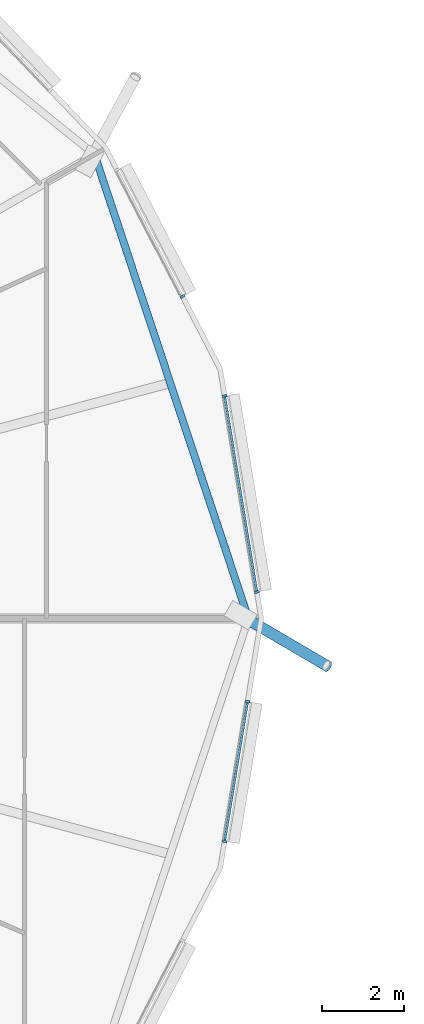
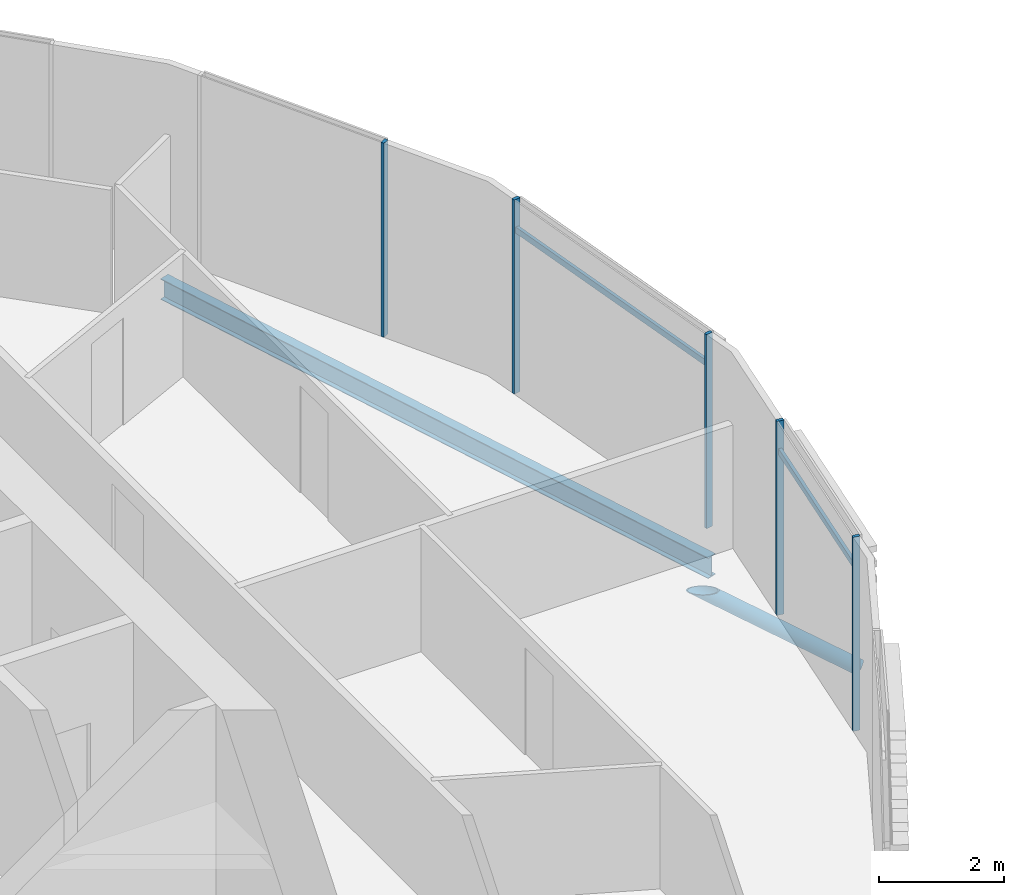
# One storey, part 8 of 43: 8 members, 1 beam, 1 element without a shape of its own.
"""IFC4 building model written with IfcOpenShell, lengths in metres."""

import ifcopenshell
import ifcopenshell.guid

model = None  # the IFC model being written
_history = None  # IfcOwnerHistory: only IFC2X3 demands one
_inside = {}  # id of a spatial element -> (the spatial element, [elements in it])
_under = {}  # id of a project, library or spatial element -> (it, [spatial elements below it])
_declared = {}  # id of a project -> (the project, [libraries it declares])
_typed = {}  # id of a type object -> (the type object, [elements of that type])
_made_of = {}  # id of a material, layer set ... -> (it, [elements and type objects made of it])


def new_model(schema):
    """Start an empty IFC model of exactly this schema.

    Asked for "IFC4X3", IfcOpenShell would pick the latest addendum, in which some entities
    have other attributes; the version numbers below select the first issue.
    IFC2X3 requires an IfcOwnerHistory on every rooted entity: one is made here for all.
    """
    global model, _history
    if schema == "IFC4X3":
        model = ifcopenshell.file(schema_version=(4, 3, 0, 0))
    else:
        model = ifcopenshell.file(schema=schema)
    _inside.clear()
    _under.clear()
    _declared.clear()
    _typed.clear()
    _made_of.clear()
    _history = None
    if model.schema == "IFC2X3":
        org = make("IfcOrganization", Name="unknown")
        user = make(
            "IfcPersonAndOrganization",
            ThePerson=make("IfcPerson", FamilyName="unknown"),
            TheOrganization=org,
        )
        app = make(
            "IfcApplication",
            ApplicationDeveloper=org,
            Version="unknown",
            ApplicationFullName="unknown",
            ApplicationIdentifier="unknown",
        )
        _history = make(
            "IfcOwnerHistory",
            OwningUser=user,
            OwningApplication=app,
            ChangeAction="ADDED",
            CreationDate=0,
        )
    return model


def make(cls, **values):
    """One entity of the class cls with the attributes given. An attribute that is None is left unset."""
    return model.create_entity(
        cls, **{name: value for name, value in values.items() if value is not None}
    )


def rooted(cls, **values):
    """An entity with a GlobalId (a new one), such as an element, a storey or a relation."""
    return make(cls, GlobalId=ifcopenshell.guid.new(), OwnerHistory=_history, **values)


def si_unit(unit_type, name, prefix=None):
    """IfcSIUnit, for example si_unit("LENGTHUNIT", "METRE", prefix="MILLI")."""
    return make("IfcSIUnit", UnitType=unit_type, Prefix=prefix, Name=name)


def assignment(units):
    """IfcUnitAssignment: the units of a project."""
    return None if units is None else make("IfcUnitAssignment", Units=units)


def point(xyz):
    """IfcCartesianPoint."""
    return None if xyz is None else make("IfcCartesianPoint", Coordinates=xyz)


def direction(xyz):
    """IfcDirection."""
    return None if xyz is None else make("IfcDirection", DirectionRatios=xyz)


def frame(location, z_axis=None, x_axis=None):
    """IfcAxis2Placement3D, a coordinate frame: its origin and axes. An axis left out is left unset."""
    return make(
        "IfcAxis2Placement3D",
        Location=point(location),
        Axis=direction(z_axis),
        RefDirection=direction(x_axis),
    )


def frame_2d(location, x_axis=None):
    """IfcAxis2Placement2D, a coordinate frame in the plane: its origin and x axis."""
    return make(
        "IfcAxis2Placement2D", Location=point(location), RefDirection=direction(x_axis)
    )


def origin():
    """The frame at (0, 0, 0) with its axes left unset."""
    return frame((0.0, 0.0, 0.0))


def origin_2d():
    """The frame at (0, 0) in the plane with its x axis left unset."""
    return frame_2d((0.0, 0.0))


def place(relative_to, where):
    """IfcLocalPlacement: puts the frame where relative to a parent placement (None: the world)."""
    return make(
        "IfcLocalPlacement", PlacementRelTo=relative_to, RelativePlacement=where
    )


def context(
    kind, dimensions, precision=None, world=None, true_north=None, identifier=None
):
    """IfcGeometricRepresentationContext, for example the 3D "Model" context."""
    return make(
        "IfcGeometricRepresentationContext",
        ContextIdentifier=identifier,
        ContextType=kind,
        CoordinateSpaceDimension=dimensions,
        Precision=precision,
        WorldCoordinateSystem=world,
        TrueNorth=true_north,
    )


def subcontext(parent, identifier, kind, view, scale=None):
    """IfcGeometricRepresentationSubContext, for example "Body" below "Model"."""
    return make(
        "IfcGeometricRepresentationSubContext",
        ContextIdentifier=identifier,
        ContextType=kind,
        ParentContext=parent,
        TargetScale=scale,
        TargetView=view,
    )


def project(units=None, contexts=None):
    """IfcProject with its units and contexts."""
    return rooted(
        "IfcProject",
        Name="project",
        RepresentationContexts=contexts,
        UnitsInContext=assignment(units),
    )


def spatial(cls, under=None, at=None, **own):
    """A site, building, storey or space (cls), placed at a placement, below another one or the project."""
    s = rooted(cls, ObjectPlacement=at, **own)
    if under is not None:
        _under.setdefault(under.id(), (under, []))[1].append(s)
    return s


def profile(cls, at=None, kind="AREA", **sizes):
    """A parametric profile (cls). Its sizes go by their IFC names, for example OverallWidth=200.0."""
    return make(cls, ProfileType=kind, Position=at, **sizes)


def rectangle(**sizes):
    """IfcRectangleProfileDef."""
    return profile("IfcRectangleProfileDef", **sizes)


def hollow_circle(**sizes):
    """IfcCircleHollowProfileDef."""
    return profile("IfcCircleHollowProfileDef", **sizes)


def i_section(**sizes):
    """IfcIShapeProfileDef."""
    return profile("IfcIShapeProfileDef", **sizes)


def extrude(swept, where, along, depth):
    """IfcExtrudedAreaSolid: the profile swept, set in the frame where, extruded along a direction by depth."""
    return make(
        "IfcExtrudedAreaSolid",
        SweptArea=swept,
        Position=where,
        ExtrudedDirection=direction(along),
        Depth=depth,
    )


def clip(a, b, op="DIFFERENCE"):
    """IfcBooleanClippingResult: the solid a cut by the half space b."""
    return make(
        "IfcBooleanClippingResult", Operator=op, FirstOperand=a, SecondOperand=b
    )


def halfspace(plane, agree):
    """IfcHalfSpaceSolid: all space on one side of the plane z = 0 of the frame plane."""
    return make(
        "IfcHalfSpaceSolid",
        BaseSurface=make("IfcPlane", Position=plane),
        AgreementFlag=agree,
    )


def shape(context_of_items, identifier, shape_type, items):
    """IfcShapeRepresentation: the items that make up one representation, for example the "Body"."""
    return make(
        "IfcShapeRepresentation",
        ContextOfItems=context_of_items,
        RepresentationIdentifier=identifier,
        RepresentationType=shape_type,
        Items=items,
    )


def material(Name=None, Category=None):
    """IfcMaterial."""
    return make("IfcMaterial", Name=Name, Category=Category)


def material_profile(
    of_material, cross_section, Name=None, Category=None, Priority=None
):
    """IfcMaterialProfile: a cross section and its material."""
    return make(
        "IfcMaterialProfile",
        Name=Name,
        Material=of_material,
        Profile=cross_section,
        Priority=Priority,
        Category=Category,
    )


def profile_set(profiles, Name=None, composite=None):
    """IfcMaterialProfileSet."""
    return make(
        "IfcMaterialProfileSet",
        Name=Name,
        MaterialProfiles=profiles,
        CompositeProfile=composite,
    )


def made_of(thing, what):
    """Note that an element or type object is made of a material, layer set ...; save() writes the relation."""
    if what is not None:
        _made_of.setdefault(what.id(), (what, []))[1].append(thing)
    return thing


def type_object(cls, material=None, **own):
    """A type object (cls), such as IfcWallType, which elements share."""
    return made_of(rooted(cls, **own), material)


def element(
    cls,
    number,
    at=None,
    inside=None,
    cuts=None,
    type_object=None,
    material=None,
    context=None,
    identifier="Body",
    shape_type=None,
    held_by="IfcProductDefinitionShape",
    body=None,
    shapes=None,
    **own,
):
    """One element of the class cls, such as IfcWall. Its Tag is "e" and its number.

    at: its placement. inside: the storey or other place that contains it. cuts: it is an
    opening in that element (IfcRelVoidsElement). A single representation is given by context,
    identifier, shape_type and body (its items); several are given by shapes. held_by: the class
    of the entity that holds the representations. save() writes the other relations.
    """
    e = rooted(cls, Tag="e%d" % number, ObjectPlacement=at, **own)
    if body is not None:
        shapes = [shape(context, identifier, shape_type, body)]
    if shapes is not None:
        e.Representation = make(held_by, Representations=shapes)
    if inside is not None:
        _inside.setdefault(inside.id(), (inside, []))[1].append(e)
    if cuts is not None:
        rooted(
            "IfcRelVoidsElement", RelatingBuildingElement=cuts, RelatedOpeningElement=e
        )
    if type_object is not None:
        _typed.setdefault(type_object.id(), (type_object, []))[1].append(e)
    return made_of(e, material)


def aggregate(whole, parts):
    """IfcRelAggregates: a whole, such as a stair, and the parts it consists of."""
    return rooted("IfcRelAggregates", RelatingObject=whole, RelatedObjects=parts)


def save(model, path):
    """Write the relations noted so far, then the file.

    IfcRelAggregates (storeys below a building ...), IfcRelContainedInSpatialStructure (elements
    in a storey), IfcRelDefinesByType, IfcRelAssociatesMaterial and IfcRelDeclares: one each for
    every whole, place, type object, material and project.
    """
    for whole, parts in _under.values():
        aggregate(whole, parts)
    for where, things in _inside.values():
        rooted(
            "IfcRelContainedInSpatialStructure",
            RelatedElements=things,
            RelatingStructure=where,
        )
    for kind, things in _typed.values():
        rooted("IfcRelDefinesByType", RelatedObjects=things, RelatingType=kind)
    for what, things in _made_of.values():
        rooted("IfcRelAssociatesMaterial", RelatedObjects=things, RelatingMaterial=what)
    for by, libraries in _declared.values():
        rooted("IfcRelDeclares", RelatingContext=by, RelatedDefinitions=libraries)
    model.write(path)


model = new_model("IFC4")

# Units and contexts
model_context = context("Model", 3, precision=1e-05, world=origin(), true_north=direction((0.0, 1.0)))
body_context = subcontext(model_context, "Body", "Model", "MODEL_VIEW")
ifc_project = project(units=[si_unit("LENGTHUNIT", "METRE"), si_unit("AREAUNIT", "SQUARE_METRE"), si_unit("VOLUMEUNIT", "CUBIC_METRE"), si_unit("PLANEANGLEUNIT", "RADIAN"), si_unit("MASSUNIT", "GRAM", prefix="KILO")], contexts=[model_context])

# Site, building, storey
site_placement = place(None, origin())
site = spatial("IfcSite", under=ifc_project, at=site_placement, CompositionType="ELEMENT")
building_placement = place(site_placement, origin())
building = spatial("IfcBuilding", under=site, at=building_placement, Name="Rimbun Link Towers", CompositionType="ELEMENT")
storey_placement = place(building_placement, frame((0.0, 0.0, 81.60009765625)))
storey = spatial("IfcBuildingStorey", under=building, at=storey_placement, Name="L19", CompositionType="ELEMENT", Elevation=81.60009765625)

# Curtain wall, members
ifc_material_1 = material(Name="Aluminium 6063-T6 and low-iron glass", Category="aluminium")
curtain_wall_type = type_object("IfcCurtainWallType", Name="CW1-Z2 unitised vision wall (zone 2)", PredefinedType="NOTDEFINED", material=ifc_material_1)
curtain_wall_placement = place(storey_placement, origin())
curtain_wall = element("IfcCurtainWall", 1, at=curtain_wall_placement, inside=storey, type_object=curtain_wall_type, Name="CW1 L19 T1", PredefinedType="NOTDEFINED")
ifc_material_2 = material(Name="Aluminium 6063-T6", Category="aluminium")
ifc_material_profile_1 = material_profile(ifc_material_2, rectangle(XDim=0.1201171875, YDim=0.06005859375, at=origin_2d()), Name="MULLION 60X120")
ifc_profile_set_1 = profile_set([ifc_material_profile_1], Name="Aluminium 6063-T6")
member_type_1 = type_object("IfcMemberType", Name="CW1 mullion 60X120", PredefinedType="MULLION", material=ifc_profile_set_1)
member_1_placement = place(storey_placement, frame((-8.8798828125, 5.4521484375, 0.0), z_axis=(0.0, 0.0, 1.0), x_axis=(0.986748851509, 0.162255058613, 0.0)))
member_1 = element("IfcMember", 2, at=member_1_placement, type_object=member_type_1, Name="CW1 mullion", PredefinedType="MULLION", context=body_context, shape_type="SweptSolid", body=[
    extrude(rectangle(XDim=0.1201171875, YDim=0.06005859375, at=origin_2d()), origin(), (0.0, 0.0, 1.0), 3.7998046875),
])
member_2_placement = place(storey_placement, frame((-8.09033203125, 0.651123046875, 0.0), z_axis=(0.0, 0.0, 1.0), x_axis=(0.986748851509, 0.162255058613, 0.0)))
member_2 = element("IfcMember", 3, at=member_2_placement, type_object=member_type_1, Name="CW1 mullion", PredefinedType="MULLION", context=body_context, shape_type="SweptSolid", body=[
    extrude(rectangle(XDim=0.1201171875, YDim=0.06005859375, at=origin_2d()), origin(), (0.0, 0.0, 1.0), 3.7998046875),
])
member_3_placement = place(storey_placement, frame((-9.910400390625, 7.8876953125, 0.0), z_axis=(0.0, 0.0, 1.0), x_axis=(0.888154791602, 0.459544411514, 0.0)))
member_3 = element("IfcMember", 4, at=member_3_placement, type_object=member_type_1, Name="CW1 mullion", PredefinedType="MULLION", context=body_context, shape_type="SweptSolid", body=[
    extrude(rectangle(XDim=0.1201171875, YDim=0.06005859375, at=origin_2d()), origin(), (0.0, 0.0, 1.0), 3.7998046875),
])
member_4_placement = place(storey_placement, frame((-8.317626953125, -2.032470703125, 0.0), z_axis=(0.0, 0.0, 1.0), x_axis=(0.986748851509, -0.162255058613, 0.0)))
member_4 = element("IfcMember", 5, at=member_4_placement, type_object=member_type_1, Name="CW1 mullion", PredefinedType="MULLION", context=body_context, shape_type="SweptSolid", body=[
    extrude(rectangle(XDim=0.1201171875, YDim=0.06005859375, at=origin_2d()), origin(), (0.0, 0.0, 1.0), 3.7998046875),
])
member_5_placement = place(storey_placement, frame((-8.8798828125, -5.4521484375, 0.0), z_axis=(0.0, 0.0, 1.0), x_axis=(0.986748851509, -0.162255058613, 0.0)))
member_5 = element("IfcMember", 6, at=member_5_placement, type_object=member_type_1, Name="CW1 mullion", PredefinedType="MULLION", context=body_context, shape_type="SweptSolid", body=[
    extrude(rectangle(XDim=0.1201171875, YDim=0.06005859375, at=origin_2d()), origin(), (0.0, 0.0, 1.0), 3.7998046875),
])
ifc_material_3 = material(Name="Aluminium 6063-T6", Category="aluminium")
ifc_material_profile_2 = material_profile(ifc_material_3, rectangle(XDim=0.06005859375, YDim=0.1201171875, at=origin_2d()), Name="TRANSOM 60X120")
ifc_profile_set_2 = profile_set([ifc_material_profile_2], Name="Aluminium 6063-T6")
member_type_2 = type_object("IfcMemberType", Name="CW1 transom 60X120", PredefinedType="USERDEFINED", material=ifc_profile_set_2)
member_6_placement = place(storey_placement, frame((-8.876953125, 5.42236328125, 3.199951171875), z_axis=(0.162264875443, -0.986747237238, 0.0), x_axis=(0.986747237238, 0.162264875443, 0.0)))
member_6 = element("IfcMember", 7, at=member_6_placement, type_object=member_type_2, Name="CW1 transom", ObjectType="TRANSOM", PredefinedType="USERDEFINED", context=body_context, shape_type="SweptSolid", body=[
    extrude(rectangle(XDim=0.06005859375, YDim=0.1201171875, at=origin_2d()), origin(), (0.0, 0.0, 1.0), 4.8056640625),
])
member_7_placement = place(storey_placement, frame((-8.324462890625, -2.061767578125, 3.199951171875), z_axis=(-0.162224767288, -0.986753831955, 0.0), x_axis=(0.986753831955, -0.162224767288, 0.0)))
member_7 = element("IfcMember", 8, at=member_7_placement, type_object=member_type_2, Name="CW1 transom", ObjectType="TRANSOM", PredefinedType="USERDEFINED", context=body_context, shape_type="SweptSolid", body=[
    extrude(rectangle(XDim=0.06005859375, YDim=0.1201171875, at=origin_2d()), origin(), (0.0, 0.0, 1.0), 3.40576171875),
])
aggregate(curtain_wall, [member_1, member_2, member_3, member_4, member_5, member_6, member_7])

# Member
ifc_material_4 = material(Name="Steel S355J2H", Category="steel")
ifc_material_profile_3 = material_profile(ifc_material_4, hollow_circle(Radius=0.136474609375, WallThickness=0.012451171875, at=origin_2d()), Name="CHS 273x12.5")
ifc_profile_set_3 = profile_set([ifc_material_profile_3], Name="Steel S355J2H")
member_type_3 = type_object("IfcMemberType", Name="Floor edge link CHS 273x12.5", PredefinedType="BRACE", material=ifc_profile_set_3)
member_8_placement = place(storey_placement, frame((-8.347412109375, 0.0, -0.879638671875), z_axis=(0.741306700483, -0.434740393191, -0.511336646787), x_axis=(0.505876496118, 0.862605918526, 0.0)))
element("IfcMember", 9, at=member_8_placement, inside=storey, type_object=member_type_3, Name="Floor edge link T1 L19 00", PredefinedType="BRACE", context=body_context, shape_type="Clipping", body=[
    clip(extrude(hollow_circle(Radius=0.136474609375, WallThickness=0.012451171875, at=origin_2d()), frame((0.0, 0.0, -0.478515625)), (0.0, 0.0, 1.0), 3.171630859375), halfspace(frame((0.0, 0.0, -0.224853515625), z_axis=(0.0, 0.859380494108, -0.511336646787)), False)),
])

# Beam
ifc_material_5 = material(Name="Steel S355J2", Category="steel")
ifc_material_profile_4 = material_profile(ifc_material_5, i_section(OverallWidth=0.177978515625, OverallDepth=0.406494140625, WebThickness=0.0078125, FlangeThickness=0.0126953125, at=origin_2d()), Name="UB 406x178x60")
ifc_profile_set_4 = profile_set([ifc_material_profile_4], Name="Steel S355J2")
beam_type = type_object("IfcBeamType", Name="UB 406x178x60", PredefinedType="BEAM", material=ifc_profile_set_4)
beam_placement = place(storey_placement, frame((-8.33544921875, 0.11474609375, -0.36328125), z_axis=(-0.314775544132, 0.949166137626, 0.0), x_axis=(-0.949166137626, -0.314775544132, 0.0)))
element("IfcBeam", 10, at=beam_placement, inside=storey, type_object=beam_type, Name="Edge beam T1 L19 00-02", PredefinedType="BEAM", context=body_context, shape_type="SweptSolid", body=[
    extrude(i_section(OverallWidth=0.177978515625, OverallDepth=0.406494140625, WebThickness=0.0078125, FlangeThickness=0.0126953125, at=origin_2d()), origin(), (0.0, 0.0, 1.0), 11.754150390625),
])

save(model, "model.ifc")
